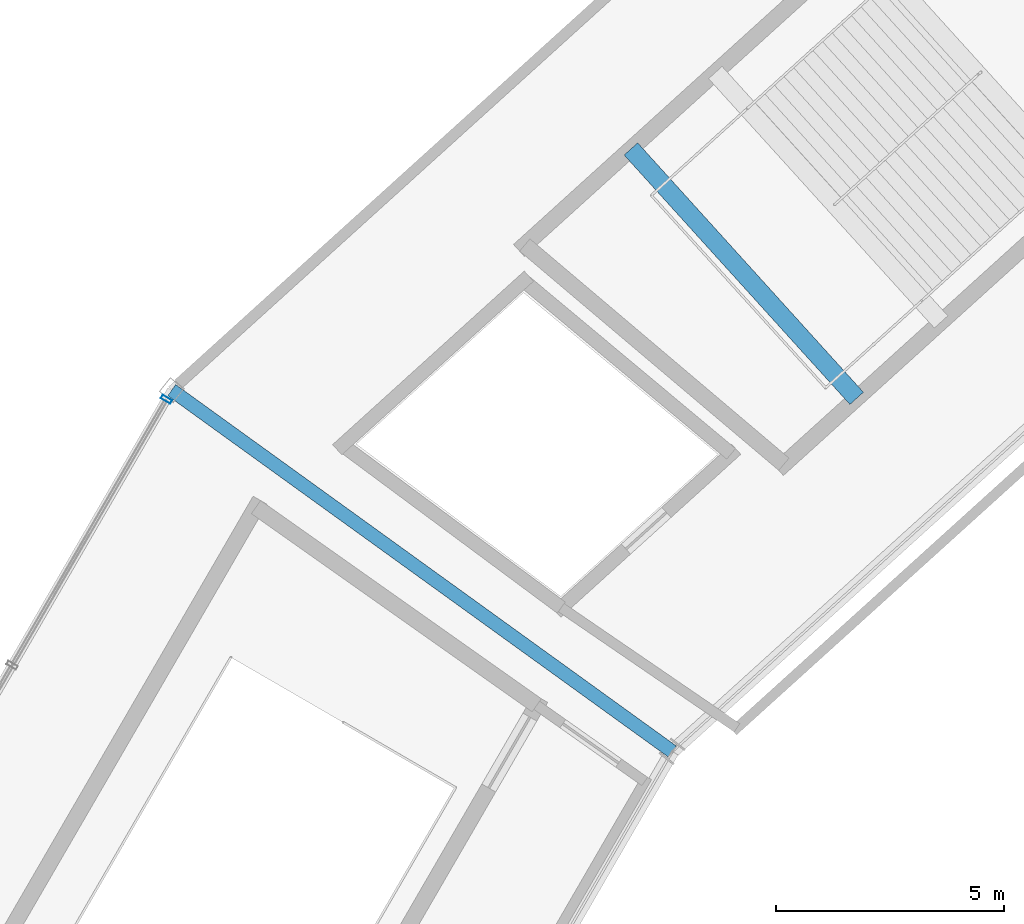
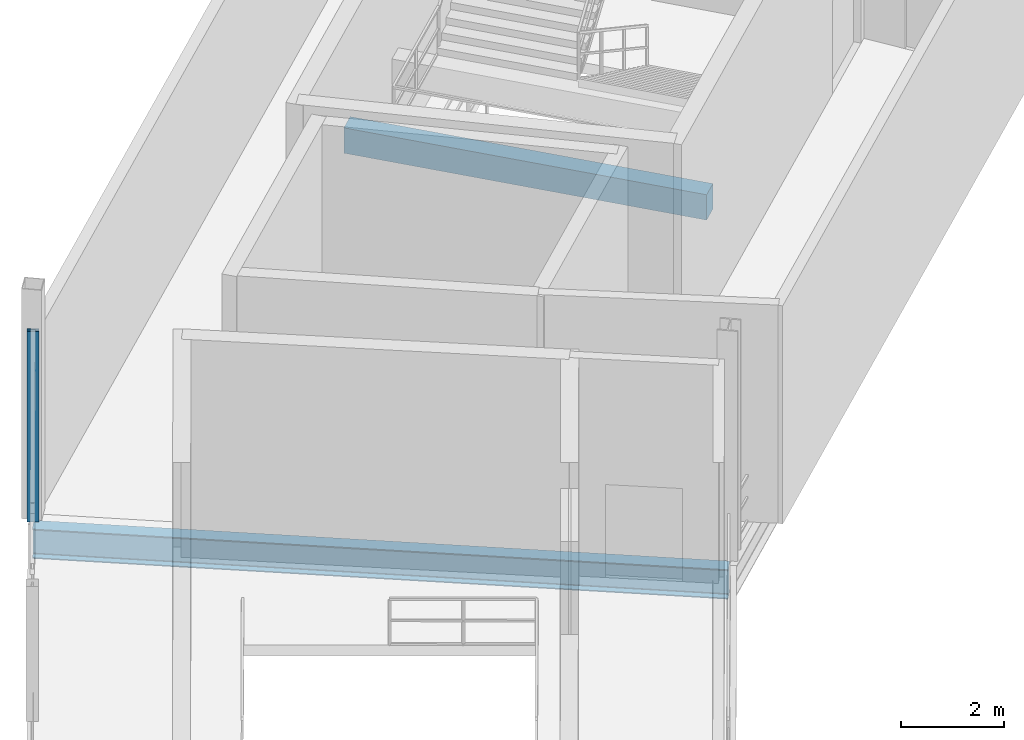
# One storey, part 49 of 86: 2 beams, 1 member, 1 element without a shape of its own.
"""IFC4 building model written with IfcOpenShell, lengths in metres."""

from ifc_helpers import new_model, si_unit, direction, frame, origin, origin_2d, place, context, subcontext, project, spatial, rectangle, hollow_rectangle, i_section, extrude, material, layer, layer_set, material_profile, profile_set, type_object, element, aggregate, save


model = new_model("IFC4")

# Units and contexts
model_context = context("Model", 3, precision=1e-05, world=origin(), true_north=direction((0.0, 1.0)))
body_context = subcontext(model_context, "Body", "Model", "MODEL_VIEW")
ifc_project = project(units=[si_unit("LENGTHUNIT", "METRE"), si_unit("AREAUNIT", "SQUARE_METRE"), si_unit("VOLUMEUNIT", "CUBIC_METRE"), si_unit("PLANEANGLEUNIT", "RADIAN"), si_unit("MASSUNIT", "GRAM", prefix="KILO")], contexts=[model_context])

# Site, building, storey
site_placement = place(None, origin())
site = spatial("IfcSite", under=ifc_project, at=site_placement, CompositionType="ELEMENT")
building_placement = place(site_placement, origin())
building = spatial("IfcBuilding", under=site, at=building_placement, Name="Kazemori Nagisa Stadium", CompositionType="ELEMENT")
storey_placement = place(building_placement, frame((0.0, 0.0, 31.280029296875)))
storey = spatial("IfcBuildingStorey", under=building, at=storey_placement, Name="L06", CompositionType="ELEMENT", Elevation=31.280029296875)

# Beams
ifc_material_1 = material(Name="Steel SN490B", Category="steel")
ifc_material_profile_1 = material_profile(ifc_material_1, i_section(OverallWidth=0.300048828125, OverallDepth=0.699951171875, WebThickness=0.012939453125, FlangeThickness=0.02392578125, FilletRadius=0.01806640625, at=origin_2d()), Name="H-700x300x13x24")
ifc_profile_set_1 = profile_set([ifc_material_profile_1], Name="Steel SN490B")
beam_type_1 = type_object("IfcBeamType", Name="Beam_BG-H700", PredefinedType="BEAM", material=ifc_profile_set_1)
beam_1_placement = place(storey_placement, frame((55.493896484375, 150.734130859375, -0.610107421875), z_axis=(-0.810787509935, 0.585340596349, 0.0), x_axis=(-0.585340596349, -0.810787509935, 0.0)))
element("IfcBeam", 1, at=beam_1_placement, inside=storey, type_object=beam_type_1, Name="Radial girder BG-H700 L06 R2-R3-12", PredefinedType="BEAM", context=body_context, shape_type="SweptSolid", body=[
    extrude(i_section(OverallWidth=0.300048828125, OverallDepth=0.699951171875, WebThickness=0.012939453125, FlangeThickness=0.02392578125, FilletRadius=0.01806640625, at=origin_2d()), origin(), (0.0, 0.0, 1.0), 13.5537109375),
])
ifc_material_2 = material(Name="Concrete C40/50 (Fc42)", Category="concrete")
ifc_material_profile_2 = material_profile(ifc_material_2, rectangle(XDim=0.39990234375, YDim=0.60009765625, at=origin_2d()), Name="RC-BM-400x600")
ifc_profile_set_2 = profile_set([ifc_material_profile_2], Name="Concrete C40/50 (Fc42)")
beam_type_2 = type_object("IfcBeamType", Name="Beam_BG-LND400X600", PredefinedType="BEAM", material=ifc_profile_set_2)
beam_2_placement = place(storey_placement, frame((59.542724609375, 158.486572265625, 2.219970703125), z_axis=(-0.671113236271, 0.74135485707, 0.0), x_axis=(-0.74135485707, -0.671113236271, 0.0)))
element("IfcBeam", 2, at=beam_2_placement, inside=storey, type_object=beam_type_2, Name="Core stair mid-landing girder ST02-L06-2", PredefinedType="BEAM", context=body_context, shape_type="SweptSolid", body=[
    extrude(rectangle(XDim=0.39990234375, YDim=0.60009765625, at=origin_2d()), origin(), (0.0, 0.0, 1.0), 7.385986328125),
])

# Curtain wall, member
ifc_material_3 = material(Name="Anodised aluminium 6063-T5", Category="aluminium")
ifc_layer = layer(ifc_material_3, 0.239990234375, Name="Anodised aluminium 6063-T5", Category="aluminium")
ifc_layer_set = layer_set([ifc_layer], Name="Anodised aluminium 6063-T5")
curtain_wall_type = type_object("IfcCurtainWallType", Name="CW_L06R3_102", PredefinedType="USERDEFINED", material=ifc_layer_set)
curtain_wall_placement = place(storey_placement, origin())
curtain_wall = element("IfcCurtainWall", 3, at=curtain_wall_placement, inside=storey, type_object=curtain_wall_type, Name="Unitised curtain wall CW-L06R3-102 L06", ObjectType="UNITISED CURTAIN WALL", PredefinedType="USERDEFINED")
ifc_material_4 = material(Name="Aluminium 6063-T5 anodised", Category="aluminium")
ifc_material_profile_3 = material_profile(ifc_material_4, hollow_rectangle(XDim=0.090087890625, YDim=0.239990234375, WallThickness=0.0048828125, at=origin_2d()), Name="ALU-MULL-90x240x5")
ifc_profile_set_3 = profile_set([ifc_material_profile_3], Name="Aluminium 6063-T5 anodised")
member_type = type_object("IfcMemberType", Name="Mullion_M03", PredefinedType="MULLION", material=ifc_profile_set_3)
member_placement = place(storey_placement, frame((44.38671875, 158.46435546875, 0.0), z_axis=(0.0, 0.0, 1.0), x_axis=(-0.501611590054, -0.865092950337, 0.0)))
member = element("IfcMember", 4, at=member_placement, type_object=member_type, Name="Curtain wall mullion CW-L06R3-102-M1", PredefinedType="MULLION", context=body_context, shape_type="SweptSolid", body=[
    extrude(hollow_rectangle(XDim=0.090087890625, YDim=0.239990234375, WallThickness=0.0048828125, at=origin_2d()), origin(), (0.0, 0.0, 1.0), 4.510009765625),
])
aggregate(curtain_wall, [member])

save(model, "model.ifc")
